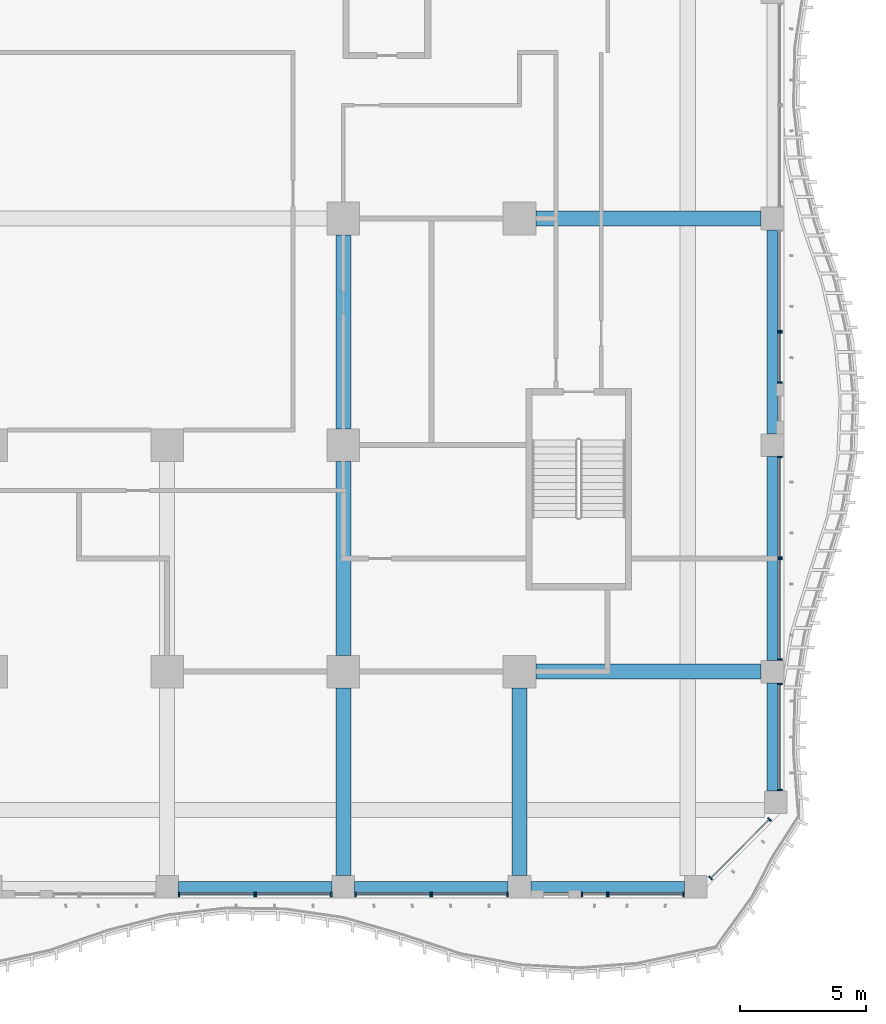
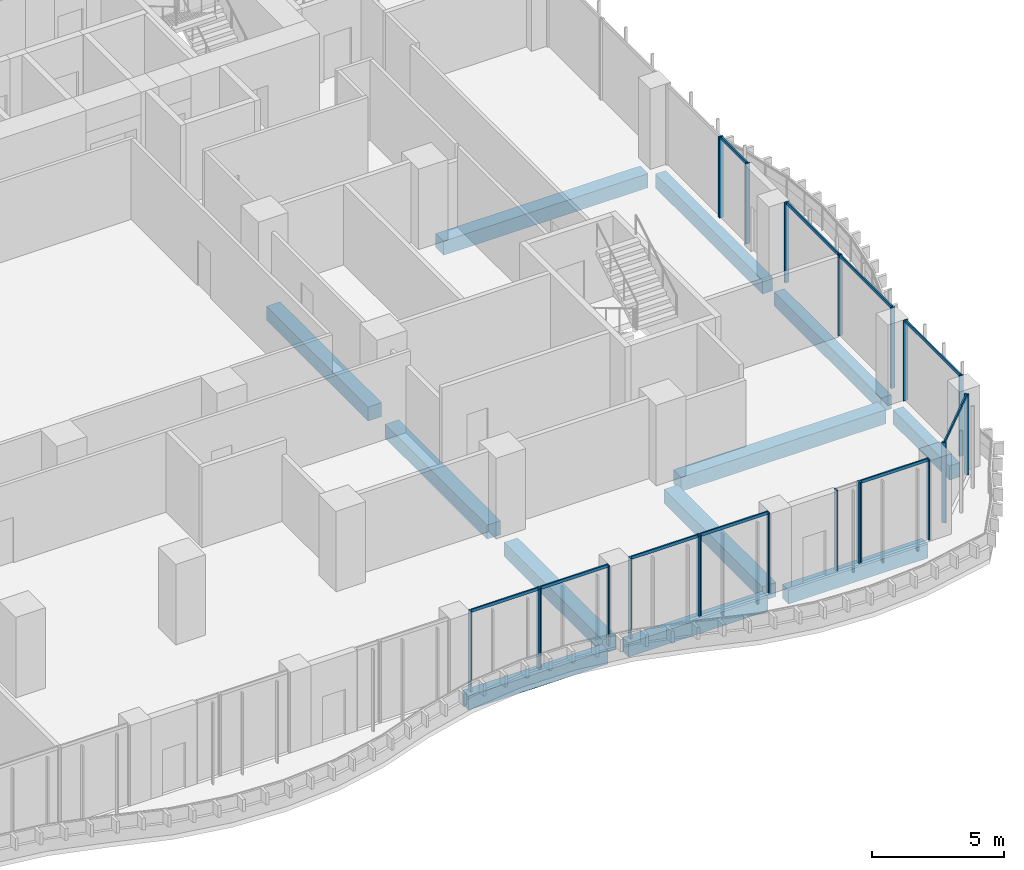
# One storey, part 4 of 24: 33 members, 12 beams, 12 elements without a shape of their own.
"""IFC4 building model written with IfcOpenShell, lengths in metres."""

from ifc_helpers import new_model, si_unit, direction, frame, origin, origin_2d, place, context, subcontext, project, spatial, rectangle, extrude, source, transform, mapped, material, material_profile, profile_set, type_object, element, aggregate, save


model = new_model("IFC4")

# Units and contexts
model_context = context("Model", 3, precision=1e-05, world=origin(), true_north=direction((0.0, 1.0)))
body_context = subcontext(model_context, "Body", "Model", "MODEL_VIEW")
ifc_project = project(units=[si_unit("LENGTHUNIT", "METRE"), si_unit("AREAUNIT", "SQUARE_METRE"), si_unit("VOLUMEUNIT", "CUBIC_METRE"), si_unit("PLANEANGLEUNIT", "RADIAN"), si_unit("MASSUNIT", "GRAM", prefix="KILO")], contexts=[model_context])

# Site, building, storey
site_placement = place(None, origin())
site = spatial("IfcSite", under=ifc_project, at=site_placement, CompositionType="ELEMENT")
building_placement = place(site_placement, origin())
building = spatial("IfcBuilding", under=site, at=building_placement, Name="Kilnfold Tower and Market Hall", CompositionType="ELEMENT")
storey_placement = place(building_placement, frame((0.0, 0.0, 35.0)))
storey = spatial("IfcBuildingStorey", under=building, at=storey_placement, Name="L07", CompositionType="ELEMENT", Elevation=35.0)

# Beams
ifc_material_1 = material(Name="Concrete C45", Category="concrete")
ifc_material_profile_1 = material_profile(ifc_material_1, rectangle(XDim=0.449951171875, YDim=0.64990234375, at=origin_2d()), Name="RC 450x650")
ifc_profile_set_1 = profile_set([ifc_material_profile_1], Name="Concrete C45")
beam_type_1 = type_object("IfcBeamType", Name="EDGE BEAM 450X650 C45", PredefinedType="BEAM", material=ifc_profile_set_1)
shared_shape_1 = source(origin(), body_context, "Body", "SweptSolid", [
    extrude(rectangle(XDim=0.449951171875, YDim=0.64990234375, at=origin_2d()), origin(), (0.0, 0.0, 1.0), 6.10009765625),
])
for number, where, z_axis, x_axis, name in (
    (1, (3.949951171875, -27.550048828125, -0.60498046875), (1.0, 0.0, 0.0), (0.0, 1.0, 0.0), "Beam EB650-B1.4"),
    (2, (10.949951171875, -27.550048828125, -0.60498046875), (1.0, 0.0, 0.0), (0.0, 1.0, 0.0), "Beam EB650-B1.5"),
    (3, (17.949951171875, -27.550048828125, -0.60498046875), (1.0, 0.0, 0.0), (0.0, 1.0, 0.0), "Beam EB650-B1.6"),
):
    element("IfcBeam", number, at=place(storey_placement, frame(where, z_axis=z_axis, x_axis=x_axis)), inside=storey, type_object=beam_type_1, Name=name, PredefinedType="BEAM", context=body_context, shape_type="MappedRepresentation", body=[
        mapped(shared_shape_1, transform((0.0, 0.0, 0.0))),
    ])
ifc_material_2 = material(Name="Concrete C45", Category="concrete")
ifc_material_profile_2 = material_profile(ifc_material_2, rectangle(XDim=0.60009765625, YDim=0.64990234375, at=origin_2d()), Name="RC 600x650")
ifc_profile_set_2 = profile_set([ifc_material_profile_2], Name="Concrete C45")
beam_type_2 = type_object("IfcBeamType", Name="BEAM 600X650 C45", PredefinedType="BEAM", material=ifc_profile_set_2)
shared_shape_2 = source(origin(), body_context, "Body", "SweptSolid", [
    extrude(rectangle(XDim=0.60009765625, YDim=0.64990234375, at=origin_2d()), origin(), (0.0, 0.0, 1.0), 8.9501953125),
])
for number, where, z_axis, x_axis, name in (
    (4, (18.14990234375, -19.0, -0.60498046875), (1.0, 0.0, 0.0), (0.0, 1.0, 0.0), "Beam BB650-B1.12"),
    (5, (18.14990234375, -1.0, -0.60498046875), (1.0, 0.0, 0.0), (0.0, 1.0, 0.0), "Beam BB650-B1.20"),
):
    element("IfcBeam", number, at=place(storey_placement, frame(where, z_axis=z_axis, x_axis=x_axis)), inside=storey, type_object=beam_type_2, Name=name, PredefinedType="BEAM", context=body_context, shape_type="MappedRepresentation", body=[
        mapped(shared_shape_2, transform((0.0, 0.0, 0.0))),
    ])
shared_shape_3 = source(origin(), body_context, "Body", "SweptSolid", [
    extrude(rectangle(XDim=0.449951171875, YDim=0.64990234375, at=origin_2d()), origin(), (0.0, 0.0, 1.0), 8.10009765625),
])
for number, where, z_axis, x_axis, name in (
    (6, (27.550048828125, -18.550048828125, -0.60498046875), (0.0, 1.0, 0.0), (-1.0, 0.0, 0.0), "Beam EB650-B1.52"),
    (7, (27.550048828125, -9.550048828125, -0.60498046875), (0.0, 1.0, 0.0), (-1.0, 0.0, 0.0), "Beam EB650-B1.58"),
):
    element("IfcBeam", number, at=place(storey_placement, frame(where, z_axis=z_axis, x_axis=x_axis)), inside=storey, type_object=beam_type_1, Name=name, PredefinedType="BEAM", context=body_context, shape_type="MappedRepresentation", body=[
        mapped(shared_shape_3, transform((0.0, 0.0, 0.0))),
    ])
shared_shape_4 = source(origin(), body_context, "Body", "SweptSolid", [
    extrude(rectangle(XDim=0.60009765625, YDim=0.64990234375, at=origin_2d()), origin(), (0.0, 0.0, 1.0), 7.4501953125),
])
for number, where, z_axis, x_axis, name in (
    (8, (10.5, -27.10009765625, -0.60498046875), (0.0, 1.0, 0.0), (-1.0, 0.0, 0.0), "Beam BB650-B1.47"),
    (9, (17.5, -27.10009765625, -0.60498046875), (0.0, 1.0, 0.0), (-1.0, 0.0, 0.0), "Beam BB650-B1.50"),
):
    element("IfcBeam", number, at=place(storey_placement, frame(where, z_axis=z_axis, x_axis=x_axis)), inside=storey, type_object=beam_type_2, Name=name, PredefinedType="BEAM", context=body_context, shape_type="MappedRepresentation", body=[
        mapped(shared_shape_4, transform((0.0, 0.0, 0.0))),
    ])
shared_shape_5 = source(origin(), body_context, "Body", "SweptSolid", [
    extrude(rectangle(XDim=0.60009765625, YDim=0.64990234375, at=origin_2d()), origin(), (0.0, 0.0, 1.0), 7.7001953125),
])
for number, where, z_axis, x_axis, name in (
    (10, (10.5, -18.35009765625, -0.60498046875), (0.0, 1.0, 0.0), (-1.0, 0.0, 0.0), "Beam BB650-B1.48"),
    (11, (10.5, -9.35009765625, -0.60498046875), (0.0, 1.0, 0.0), (-1.0, 0.0, 0.0), "Beam BB650-B1.49"),
):
    element("IfcBeam", number, at=place(storey_placement, frame(where, z_axis=z_axis, x_axis=x_axis)), inside=storey, type_object=beam_type_2, Name=name, PredefinedType="BEAM", context=body_context, shape_type="MappedRepresentation", body=[
        mapped(shared_shape_5, transform((0.0, 0.0, 0.0))),
    ])
shared_shape_6 = source(origin(), body_context, "Body", "SweptSolid", [
    extrude(rectangle(XDim=0.449951171875, YDim=0.64990234375, at=origin_2d()), origin(), (0.0, 0.0, 1.0), 4.28173828125),
])
beam_placement = place(storey_placement, frame((27.550048828125, -23.731689453125, -0.60498046875), z_axis=(0.0, 1.0, 0.0), x_axis=(-1.0, 0.0, 0.0)))
element("IfcBeam", 12, at=beam_placement, inside=storey, type_object=beam_type_1, Name="Beam EB650-B1.51", PredefinedType="BEAM", context=body_context, shape_type="MappedRepresentation", body=[
    mapped(shared_shape_6, transform((0.0, 0.0, 0.0))),
])

# Curtain wall, members
ifc_material_3 = material(Name="Aluminium and double glazing", Category="aluminium")
curtain_wall_type = type_object("IfcCurtainWallType", Name="CW OF1 VALLEY GLAZING", PredefinedType="NOTDEFINED", material=ifc_material_3)
curtain_wall_1_placement = place(storey_placement, origin())
curtain_wall_1 = element("IfcCurtainWall", 13, at=curtain_wall_1_placement, inside=storey, type_object=curtain_wall_type, Name="Curtain wall CW1 L07 S", PredefinedType="NOTDEFINED")
ifc_material_4 = material(Name="Aluminium", Category="aluminium")
ifc_material_profile_3 = material_profile(ifc_material_4, rectangle(XDim=0.06005859375, YDim=0.179931640625, at=origin_2d()), Name="MULLION 60x180")
ifc_profile_set_3 = profile_set([ifc_material_profile_3], Name="Aluminium")
member_type_1 = type_object("IfcMemberType", Name="MULLION 60X180", PredefinedType="MULLION", material=ifc_profile_set_3)
shared_shape_7 = source(origin(), body_context, "Body", "SweptSolid", [
    extrude(rectangle(XDim=0.06005859375, YDim=0.179931640625, at=origin_2d()), origin(), (0.0, 0.0, 1.0), 3.719970703125),
])
member_1_placement = place(storey_placement, frame((3.97998046875, -27.85009765625, 0.0), z_axis=(0.0, 0.0, 1.0), x_axis=(1.0, 0.0, 0.0)))
member_1 = element("IfcMember", 14, at=member_1_placement, type_object=member_type_1, Name="CW1 mullion 1", PredefinedType="MULLION", context=body_context, shape_type="MappedRepresentation", body=[
    mapped(shared_shape_7, transform((0.0, 0.0, 0.0))),
])
member_2_placement = place(storey_placement, frame((6.969970703125, -27.85009765625, 0.0), z_axis=(0.0, 0.0, 1.0), x_axis=(1.0, 0.0, 0.0)))
member_2 = element("IfcMember", 15, at=member_2_placement, type_object=member_type_1, Name="CW1 mullion 2", PredefinedType="MULLION", context=body_context, shape_type="MappedRepresentation", body=[
    mapped(shared_shape_7, transform((0.0, 0.0, 0.0))),
])

curtain_wall_2_placement = place(storey_placement, origin())
curtain_wall_2 = element("IfcCurtainWall", 16, at=curtain_wall_2_placement, inside=storey, type_object=curtain_wall_type, Name="Curtain wall CW1 L07 S", PredefinedType="NOTDEFINED")
member_3_placement = place(storey_placement, frame((7.030029296875, -27.85009765625, 0.0), z_axis=(0.0, 0.0, 1.0), x_axis=(1.0, 0.0, 0.0)))
member_3 = element("IfcMember", 17, at=member_3_placement, type_object=member_type_1, Name="CW1 mullion 1", PredefinedType="MULLION", context=body_context, shape_type="MappedRepresentation", body=[
    mapped(shared_shape_7, transform((0.0, 0.0, 0.0))),
])
member_4_placement = place(storey_placement, frame((10.02001953125, -27.85009765625, 0.0), z_axis=(0.0, 0.0, 1.0), x_axis=(1.0, 0.0, 0.0)))
member_4 = element("IfcMember", 18, at=member_4_placement, type_object=member_type_1, Name="CW1 mullion 2", PredefinedType="MULLION", context=body_context, shape_type="MappedRepresentation", body=[
    mapped(shared_shape_7, transform((0.0, 0.0, 0.0))),
])

curtain_wall_3_placement = place(storey_placement, origin())
curtain_wall_3 = element("IfcCurtainWall", 19, at=curtain_wall_3_placement, inside=storey, type_object=curtain_wall_type, Name="Curtain wall CW1 L07 S", PredefinedType="NOTDEFINED")
member_5_placement = place(storey_placement, frame((10.97998046875, -27.85009765625, 0.0), z_axis=(0.0, 0.0, 1.0), x_axis=(1.0, 0.0, 0.0)))
member_5 = element("IfcMember", 20, at=member_5_placement, type_object=member_type_1, Name="CW1 mullion 1", PredefinedType="MULLION", context=body_context, shape_type="MappedRepresentation", body=[
    mapped(shared_shape_7, transform((0.0, 0.0, 0.0))),
])
member_6_placement = place(storey_placement, frame((13.969970703125, -27.85009765625, 0.0), z_axis=(0.0, 0.0, 1.0), x_axis=(1.0, 0.0, 0.0)))
member_6 = element("IfcMember", 21, at=member_6_placement, type_object=member_type_1, Name="CW1 mullion 2", PredefinedType="MULLION", context=body_context, shape_type="MappedRepresentation", body=[
    mapped(shared_shape_7, transform((0.0, 0.0, 0.0))),
])

curtain_wall_4_placement = place(storey_placement, origin())
curtain_wall_4 = element("IfcCurtainWall", 22, at=curtain_wall_4_placement, inside=storey, type_object=curtain_wall_type, Name="Curtain wall CW1 L07 S", PredefinedType="NOTDEFINED")
member_7_placement = place(storey_placement, frame((14.030029296875, -27.85009765625, 0.0), z_axis=(0.0, 0.0, 1.0), x_axis=(1.0, 0.0, 0.0)))
member_7 = element("IfcMember", 23, at=member_7_placement, type_object=member_type_1, Name="CW1 mullion 1", PredefinedType="MULLION", context=body_context, shape_type="MappedRepresentation", body=[
    mapped(shared_shape_7, transform((0.0, 0.0, 0.0))),
])
member_8_placement = place(storey_placement, frame((17.02001953125, -27.85009765625, 0.0), z_axis=(0.0, 0.0, 1.0), x_axis=(1.0, 0.0, 0.0)))
member_8 = element("IfcMember", 24, at=member_8_placement, type_object=member_type_1, Name="CW1 mullion 2", PredefinedType="MULLION", context=body_context, shape_type="MappedRepresentation", body=[
    mapped(shared_shape_7, transform((0.0, 0.0, 0.0))),
])

curtain_wall_5_placement = place(storey_placement, origin())
curtain_wall_5 = element("IfcCurtainWall", 25, at=curtain_wall_5_placement, inside=storey, type_object=curtain_wall_type, Name="Curtain wall CW1 L07 S", PredefinedType="NOTDEFINED")
member_9_placement = place(storey_placement, frame((19.97998046875, -27.85009765625, 0.0), z_axis=(0.0, 0.0, 1.0), x_axis=(1.0, 0.0, 0.0)))
member_9 = element("IfcMember", 26, at=member_9_placement, type_object=member_type_1, Name="CW1 mullion 1", PredefinedType="MULLION", context=body_context, shape_type="MappedRepresentation", body=[
    mapped(shared_shape_7, transform((0.0, 0.0, 0.0))),
])
member_10_placement = place(storey_placement, frame((20.969970703125, -27.85009765625, 0.0), z_axis=(0.0, 0.0, 1.0), x_axis=(1.0, 0.0, 0.0)))
member_10 = element("IfcMember", 27, at=member_10_placement, type_object=member_type_1, Name="CW1 mullion 2", PredefinedType="MULLION", context=body_context, shape_type="MappedRepresentation", body=[
    mapped(shared_shape_7, transform((0.0, 0.0, 0.0))),
])
aggregate(curtain_wall_5, [member_9, member_10])

curtain_wall_6_placement = place(storey_placement, origin())
curtain_wall_6 = element("IfcCurtainWall", 28, at=curtain_wall_6_placement, inside=storey, type_object=curtain_wall_type, Name="Curtain wall CW1 L07 S", PredefinedType="NOTDEFINED")
member_11_placement = place(storey_placement, frame((21.030029296875, -27.85009765625, 0.0), z_axis=(0.0, 0.0, 1.0), x_axis=(1.0, 0.0, 0.0)))
member_11 = element("IfcMember", 29, at=member_11_placement, type_object=member_type_1, Name="CW1 mullion 1", PredefinedType="MULLION", context=body_context, shape_type="MappedRepresentation", body=[
    mapped(shared_shape_7, transform((0.0, 0.0, 0.0))),
])
member_12_placement = place(storey_placement, frame((24.02001953125, -27.85009765625, 0.0), z_axis=(0.0, 0.0, 1.0), x_axis=(1.0, 0.0, 0.0)))
member_12 = element("IfcMember", 30, at=member_12_placement, type_object=member_type_1, Name="CW1 mullion 2", PredefinedType="MULLION", context=body_context, shape_type="MappedRepresentation", body=[
    mapped(shared_shape_7, transform((0.0, 0.0, 0.0))),
])

curtain_wall_7_placement = place(storey_placement, origin())
curtain_wall_7 = element("IfcCurtainWall", 31, at=curtain_wall_7_placement, inside=storey, type_object=curtain_wall_type, Name="Curtain wall CW1 L07 SE", PredefinedType="NOTDEFINED")
member_13_placement = place(storey_placement, frame((25.090087890625, -27.19775390625, 0.0), z_axis=(0.0, 0.0, 1.0), x_axis=(0.707121667181, 0.707091894879, 0.0)))
member_13 = element("IfcMember", 32, at=member_13_placement, type_object=member_type_1, Name="CW1 mullion 1", PredefinedType="MULLION", context=body_context, shape_type="MappedRepresentation", body=[
    mapped(shared_shape_7, transform((0.0, 0.0, 0.0))),
])
member_14_placement = place(storey_placement, frame((27.4228515625, -24.865234375, 0.0), z_axis=(0.0, 0.0, 1.0), x_axis=(0.707121667181, 0.707091894879, 0.0)))
member_14 = element("IfcMember", 33, at=member_14_placement, type_object=member_type_1, Name="CW1 mullion 2", PredefinedType="MULLION", context=body_context, shape_type="MappedRepresentation", body=[
    mapped(shared_shape_7, transform((0.0, 0.0, 0.0))),
])

curtain_wall_8_placement = place(storey_placement, origin())
curtain_wall_8 = element("IfcCurtainWall", 34, at=curtain_wall_8_placement, inside=storey, type_object=curtain_wall_type, Name="Curtain wall CW1 L07 E", PredefinedType="NOTDEFINED")
member_15_placement = place(storey_placement, frame((27.85009765625, -23.701904296875, 0.0), z_axis=(0.0, 0.0, 1.0), x_axis=(0.0, 1.0, 0.0)))
member_15 = element("IfcMember", 35, at=member_15_placement, type_object=member_type_1, Name="CW1 mullion 1", PredefinedType="MULLION", context=body_context, shape_type="MappedRepresentation", body=[
    mapped(shared_shape_7, transform((0.0, 0.0, 0.0))),
])
member_16_placement = place(storey_placement, frame((27.85009765625, -19.47998046875, 0.0), z_axis=(0.0, 0.0, 1.0), x_axis=(0.0, 1.0, 0.0)))
member_16 = element("IfcMember", 36, at=member_16_placement, type_object=member_type_1, Name="CW1 mullion 2", PredefinedType="MULLION", context=body_context, shape_type="MappedRepresentation", body=[
    mapped(shared_shape_7, transform((0.0, 0.0, 0.0))),
])

curtain_wall_9_placement = place(storey_placement, origin())
curtain_wall_9 = element("IfcCurtainWall", 37, at=curtain_wall_9_placement, inside=storey, type_object=curtain_wall_type, Name="Curtain wall CW1 L07 E", PredefinedType="NOTDEFINED")
member_17_placement = place(storey_placement, frame((27.85009765625, -18.52001953125, 0.0), z_axis=(0.0, 0.0, 1.0), x_axis=(0.0, 1.0, 0.0)))
member_17 = element("IfcMember", 38, at=member_17_placement, type_object=member_type_1, Name="CW1 mullion 1", PredefinedType="MULLION", context=body_context, shape_type="MappedRepresentation", body=[
    mapped(shared_shape_7, transform((0.0, 0.0, 0.0))),
])
member_18_placement = place(storey_placement, frame((27.85009765625, -14.530029296875, 0.0), z_axis=(0.0, 0.0, 1.0), x_axis=(0.0, 1.0, 0.0)))
member_18 = element("IfcMember", 39, at=member_18_placement, type_object=member_type_1, Name="CW1 mullion 2", PredefinedType="MULLION", context=body_context, shape_type="MappedRepresentation", body=[
    mapped(shared_shape_7, transform((0.0, 0.0, 0.0))),
])

curtain_wall_10_placement = place(storey_placement, origin())
curtain_wall_10 = element("IfcCurtainWall", 40, at=curtain_wall_10_placement, inside=storey, type_object=curtain_wall_type, Name="Curtain wall CW1 L07 E", PredefinedType="NOTDEFINED")
member_19_placement = place(storey_placement, frame((27.85009765625, -14.469970703125, 0.0), z_axis=(0.0, 0.0, 1.0), x_axis=(0.0, 1.0, 0.0)))
member_19 = element("IfcMember", 41, at=member_19_placement, type_object=member_type_1, Name="CW1 mullion 1", PredefinedType="MULLION", context=body_context, shape_type="MappedRepresentation", body=[
    mapped(shared_shape_7, transform((0.0, 0.0, 0.0))),
])
member_20_placement = place(storey_placement, frame((27.85009765625, -10.47998046875, 0.0), z_axis=(0.0, 0.0, 1.0), x_axis=(0.0, 1.0, 0.0)))
member_20 = element("IfcMember", 42, at=member_20_placement, type_object=member_type_1, Name="CW1 mullion 2", PredefinedType="MULLION", context=body_context, shape_type="MappedRepresentation", body=[
    mapped(shared_shape_7, transform((0.0, 0.0, 0.0))),
])

curtain_wall_11_placement = place(storey_placement, origin())
curtain_wall_11 = element("IfcCurtainWall", 43, at=curtain_wall_11_placement, inside=storey, type_object=curtain_wall_type, Name="Curtain wall CW1 L07 E", PredefinedType="NOTDEFINED")
member_21_placement = place(storey_placement, frame((27.85009765625, -7.52001953125, 0.0), z_axis=(0.0, 0.0, 1.0), x_axis=(0.0, 1.0, 0.0)))
member_21 = element("IfcMember", 44, at=member_21_placement, type_object=member_type_1, Name="CW1 mullion 1", PredefinedType="MULLION", context=body_context, shape_type="MappedRepresentation", body=[
    mapped(shared_shape_7, transform((0.0, 0.0, 0.0))),
])
member_22_placement = place(storey_placement, frame((27.85009765625, -5.530029296875, 0.0), z_axis=(0.0, 0.0, 1.0), x_axis=(0.0, 1.0, 0.0)))
member_22 = element("IfcMember", 45, at=member_22_placement, type_object=member_type_1, Name="CW1 mullion 2", PredefinedType="MULLION", context=body_context, shape_type="MappedRepresentation", body=[
    mapped(shared_shape_7, transform((0.0, 0.0, 0.0))),
])

# Curtain wall, member
curtain_wall_12_placement = place(storey_placement, origin())
curtain_wall_12 = element("IfcCurtainWall", 46, at=curtain_wall_12_placement, inside=storey, type_object=curtain_wall_type, Name="Curtain wall CW1 L07 E", PredefinedType="NOTDEFINED")
member_23_placement = place(storey_placement, frame((27.85009765625, -5.469970703125, 0.0), z_axis=(0.0, 0.0, 1.0), x_axis=(0.0, 1.0, 0.0)))
member_23 = element("IfcMember", 47, at=member_23_placement, type_object=member_type_1, Name="CW1 mullion 1", PredefinedType="MULLION", context=body_context, shape_type="MappedRepresentation", body=[
    mapped(shared_shape_7, transform((0.0, 0.0, 0.0))),
])
aggregate(curtain_wall_12, [member_23])

# Member
ifc_material_5 = material(Name="Aluminium", Category="aluminium")
ifc_material_profile_4 = material_profile(ifc_material_5, rectangle(XDim=0.06005859375, YDim=0.139892578125, at=origin_2d()), Name="TRANSOM 60x140")
ifc_profile_set_4 = profile_set([ifc_material_profile_4], Name="Aluminium")
member_type_2 = type_object("IfcMemberType", Name="TRANSOM 60X140", PredefinedType="USERDEFINED", material=ifc_profile_set_4)
shared_shape_8 = source(origin(), body_context, "Body", "SweptSolid", [
    extrude(rectangle(XDim=0.06005859375, YDim=0.139892578125, at=origin_2d()), origin(), (0.0, 0.0, 1.0), 2.929931640625),
])
member_24_placement = place(storey_placement, frame((4.010009765625, -27.85009765625, 3.68994140625), z_axis=(1.0, 0.0, 0.0), x_axis=(0.0, 1.0, 0.0)))
member_24 = element("IfcMember", 48, at=member_24_placement, type_object=member_type_2, Name="CW1 transom 1.2", ObjectType="TRANSOM", PredefinedType="USERDEFINED", context=body_context, shape_type="MappedRepresentation", body=[
    mapped(shared_shape_8, transform((0.0, 0.0, 0.0))),
])

aggregate(curtain_wall_1, [member_1, member_2, member_24])

member_25_placement = place(storey_placement, frame((7.06005859375, -27.85009765625, 3.68994140625), z_axis=(1.0, 0.0, 0.0), x_axis=(0.0, 1.0, 0.0)))
member_25 = element("IfcMember", 49, at=member_25_placement, type_object=member_type_2, Name="CW1 transom 1.2", ObjectType="TRANSOM", PredefinedType="USERDEFINED", context=body_context, shape_type="MappedRepresentation", body=[
    mapped(shared_shape_8, transform((0.0, 0.0, 0.0))),
])

aggregate(curtain_wall_2, [member_3, member_4, member_25])

member_26_placement = place(storey_placement, frame((11.010009765625, -27.85009765625, 3.68994140625), z_axis=(1.0, 0.0, 0.0), x_axis=(0.0, 1.0, 0.0)))
member_26 = element("IfcMember", 50, at=member_26_placement, type_object=member_type_2, Name="CW1 transom 1.2", ObjectType="TRANSOM", PredefinedType="USERDEFINED", context=body_context, shape_type="MappedRepresentation", body=[
    mapped(shared_shape_8, transform((0.0, 0.0, 0.0))),
])

aggregate(curtain_wall_3, [member_5, member_6, member_26])

member_27_placement = place(storey_placement, frame((14.06005859375, -27.85009765625, 3.68994140625), z_axis=(1.0, 0.0, 0.0), x_axis=(0.0, 1.0, 0.0)))
member_27 = element("IfcMember", 51, at=member_27_placement, type_object=member_type_2, Name="CW1 transom 1.2", ObjectType="TRANSOM", PredefinedType="USERDEFINED", context=body_context, shape_type="MappedRepresentation", body=[
    mapped(shared_shape_8, transform((0.0, 0.0, 0.0))),
])

aggregate(curtain_wall_4, [member_7, member_8, member_27])

member_28_placement = place(storey_placement, frame((21.06005859375, -27.85009765625, 3.68994140625), z_axis=(1.0, 0.0, 0.0), x_axis=(0.0, 1.0, 0.0)))
member_28 = element("IfcMember", 52, at=member_28_placement, type_object=member_type_2, Name="CW1 transom 1.2", ObjectType="TRANSOM", PredefinedType="USERDEFINED", context=body_context, shape_type="MappedRepresentation", body=[
    mapped(shared_shape_8, transform((0.0, 0.0, 0.0))),
])

aggregate(curtain_wall_6, [member_11, member_12, member_28])

shared_shape_9 = source(origin(), body_context, "Body", "SweptSolid", [
    extrude(rectangle(XDim=0.06005859375, YDim=0.139892578125, at=origin_2d()), origin(), (0.0, 0.0, 1.0), 3.929931640625),
])
member_29_placement = place(storey_placement, frame((27.85009765625, -18.489990234375, 3.68994140625), z_axis=(0.0, 1.0, 0.0), x_axis=(-1.0, 0.0, 0.0)))
member_29 = element("IfcMember", 53, at=member_29_placement, type_object=member_type_2, Name="CW1 transom 1.2", ObjectType="TRANSOM", PredefinedType="USERDEFINED", context=body_context, shape_type="MappedRepresentation", body=[
    mapped(shared_shape_9, transform((0.0, 0.0, 0.0))),
])

aggregate(curtain_wall_9, [member_17, member_18, member_29])

member_30_placement = place(storey_placement, frame((27.85009765625, -14.43994140625, 3.68994140625), z_axis=(0.0, 1.0, 0.0), x_axis=(-1.0, 0.0, 0.0)))
member_30 = element("IfcMember", 54, at=member_30_placement, type_object=member_type_2, Name="CW1 transom 1.2", ObjectType="TRANSOM", PredefinedType="USERDEFINED", context=body_context, shape_type="MappedRepresentation", body=[
    mapped(shared_shape_9, transform((0.0, 0.0, 0.0))),
])

aggregate(curtain_wall_10, [member_19, member_20, member_30])

shared_shape_10 = source(origin(), body_context, "Body", "SweptSolid", [
    extrude(rectangle(XDim=0.06005859375, YDim=0.139892578125, at=origin_2d()), origin(), (0.0, 0.0, 1.0), 1.929931640625),
])
member_31_placement = place(storey_placement, frame((27.85009765625, -7.489990234375, 3.68994140625), z_axis=(0.0, 1.0, 0.0), x_axis=(-1.0, 0.0, 0.0)))
member_31 = element("IfcMember", 55, at=member_31_placement, type_object=member_type_2, Name="CW1 transom 1.2", ObjectType="TRANSOM", PredefinedType="USERDEFINED", context=body_context, shape_type="MappedRepresentation", body=[
    mapped(shared_shape_10, transform((0.0, 0.0, 0.0))),
])

aggregate(curtain_wall_11, [member_21, member_22, member_31])

shared_shape_11 = source(origin(), body_context, "Body", "SweptSolid", [
    extrude(rectangle(XDim=0.06005859375, YDim=0.139892578125, at=origin_2d()), origin(), (0.0, 0.0, 1.0), 4.161865234375),
])
member_32_placement = place(storey_placement, frame((27.85009765625, -23.671875, 3.68994140625), z_axis=(0.0, 1.0, 0.0), x_axis=(-1.0, 0.0, 0.0)))
member_32 = element("IfcMember", 56, at=member_32_placement, type_object=member_type_2, Name="CW1 transom 1.2", ObjectType="TRANSOM", PredefinedType="USERDEFINED", context=body_context, shape_type="MappedRepresentation", body=[
    mapped(shared_shape_11, transform((0.0, 0.0, 0.0))),
])

aggregate(curtain_wall_8, [member_15, member_16, member_32])

shared_shape_12 = source(origin(), body_context, "Body", "SweptSolid", [
    extrude(rectangle(XDim=0.06005859375, YDim=0.139892578125, at=origin_2d()), origin(), (0.0, 0.0, 1.0), 3.239013671875),
])
member_33_placement = place(storey_placement, frame((25.111328125, -27.176513671875, 3.68994140625), z_axis=(0.707106781187, 0.707106781187, 0.0), x_axis=(-0.707106781187, 0.707106781187, 0.0)))
member_33 = element("IfcMember", 57, at=member_33_placement, type_object=member_type_2, Name="CW1 transom 1.2", ObjectType="TRANSOM", PredefinedType="USERDEFINED", context=body_context, shape_type="MappedRepresentation", body=[
    mapped(shared_shape_12, transform((0.0, 0.0, 0.0))),
])

aggregate(curtain_wall_7, [member_13, member_14, member_33])

save(model, "model.ifc")
